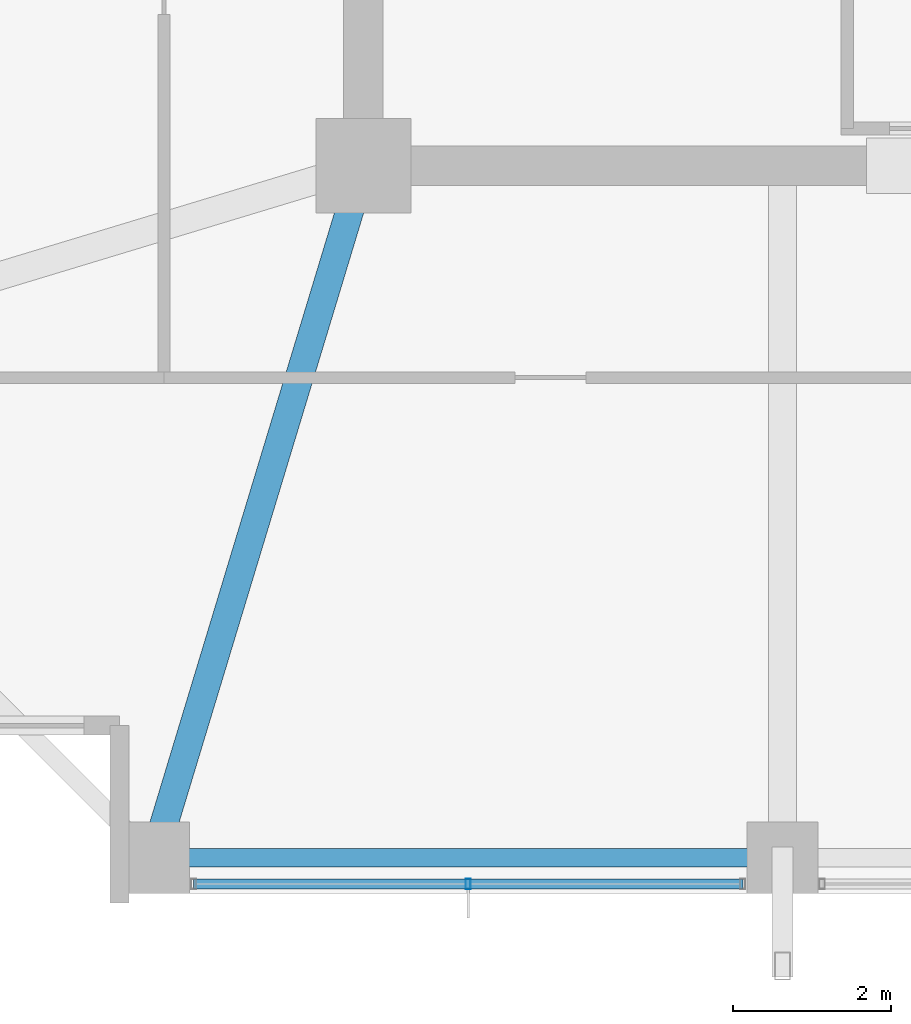
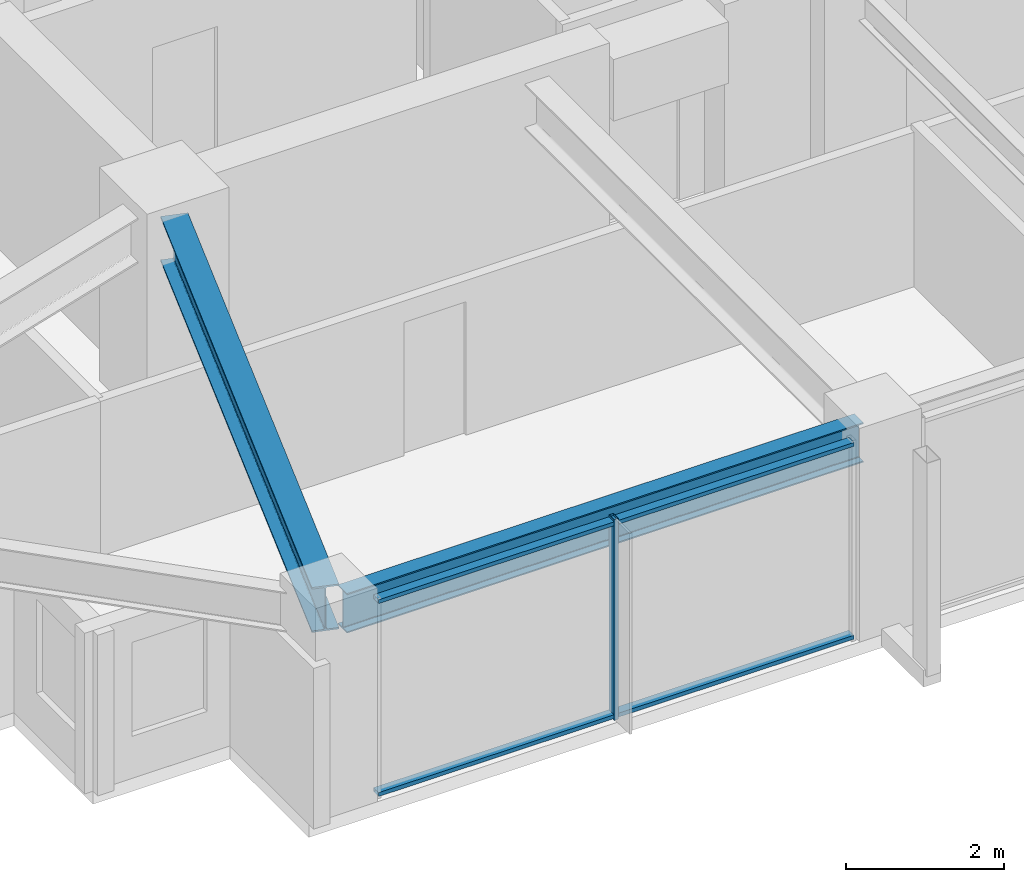
# One storey, part 3 of 35: 3 members, 2 beams, 1 element without a shape of its own.
"""IFC4 building model written with IfcOpenShell, lengths in metres."""

from ifc_helpers import new_model, si_unit, direction, frame, origin, origin_2d, place, context, subcontext, project, spatial, hollow_rectangle, i_section, extrude, material, material_profile, profile_set, type_object, element, aggregate, save


model = new_model("IFC4")

# Units and contexts
model_context = context("Model", 3, precision=1e-05, world=origin(), true_north=direction((0.0, 1.0)))
body_context = subcontext(model_context, "Body", "Model", "MODEL_VIEW")
ifc_project = project(units=[si_unit("LENGTHUNIT", "METRE"), si_unit("AREAUNIT", "SQUARE_METRE"), si_unit("VOLUMEUNIT", "CUBIC_METRE"), si_unit("PLANEANGLEUNIT", "RADIAN"), si_unit("MASSUNIT", "GRAM", prefix="KILO")], contexts=[model_context])

# Site, building, storey
site_placement = place(None, origin())
site = spatial("IfcSite", under=ifc_project, at=site_placement, CompositionType="ELEMENT")
building_placement = place(site_placement, origin())
building = spatial("IfcBuilding", under=site, at=building_placement, Name="Kolvaren Belvedere", CompositionType="ELEMENT")
storey_placement = place(building_placement, frame((0.0, 0.0, 163.5)))
storey = spatial("IfcBuildingStorey", under=building, at=storey_placement, Name="L47", CompositionType="ELEMENT", Elevation=163.5)

# Beams
ifc_material_1 = material(Name="Structural steel ASTM A992 Grade 50", Category="steel")
ifc_material_profile_1 = material_profile(ifc_material_1, i_section(OverallWidth=0.35498046875, OverallDepth=0.696044921875, WebThickness=0.015380859375, FlangeThickness=0.02490234375, FilletRadius=0.02197265625, at=origin_2d()), Name="W27X146")
ifc_profile_set_1 = profile_set([ifc_material_profile_1], Name="Structural steel ASTM A992 Grade 50")
beam_type_1 = type_object("IfcBeamType", Name="BM-GIRD-W27X146", PredefinedType="BEAM", material=ifc_profile_set_1)
beam_1_placement = place(storey_placement, frame((-10.059326171875, -10.426513671875, 2.751953125), z_axis=(-0.289865629086, -0.957067352423, 0.0), x_axis=(0.957067352423, -0.289865629086, 0.0)))
element("IfcBeam", 1, at=beam_1_placement, inside=storey, type_object=beam_type_1, Name="L47 Corner Core-to-Perimeter Girder CC1-S1", PredefinedType="BEAM", context=body_context, shape_type="SweptSolid", body=[
    extrude(i_section(OverallWidth=0.35498046875, OverallDepth=0.696044921875, WebThickness=0.015380859375, FlangeThickness=0.02490234375, FilletRadius=0.02197265625, at=origin_2d()), origin(), (0.0, 0.0, 1.0), 8.412353515625),
])
ifc_material_2 = material(Name="Structural steel ASTM A992 Grade 50", Category="steel")
ifc_material_profile_2 = material_profile(ifc_material_2, i_section(OverallWidth=0.22900390625, OverallDepth=0.612060546875, WebThickness=0.011962890625, FlangeThickness=0.01953125, FilletRadius=0.01806640625, at=origin_2d()), Name="W24X84")
ifc_profile_set_2 = profile_set([ifc_material_profile_2], Name="Structural steel ASTM A992 Grade 50")
beam_type_2 = type_object("IfcBeamType", Name="BM-SPAN-W24X84", PredefinedType="SPANDREL", material=ifc_profile_set_2)
beam_2_placement = place(storey_placement, frame((-12.347412109375, -18.64990234375, 2.7939453125), z_axis=(1.0, 0.0, 0.0), x_axis=(0.0, 1.0, 0.0)))
element("IfcBeam", 2, at=beam_2_placement, inside=storey, type_object=beam_type_2, Name="L47 Perimeter Spandrel S1-S2", PredefinedType="SPANDREL", context=body_context, shape_type="SweptSolid", body=[
    extrude(i_section(OverallWidth=0.22900390625, OverallDepth=0.612060546875, WebThickness=0.011962890625, FlangeThickness=0.01953125, FilletRadius=0.01806640625, at=origin_2d()), origin(), (0.0, 0.0, 1.0), 7.544921875),
])

# Curtain wall, members
ifc_material_3 = material(Name="Anodised pale-metal aluminium AA 6063-T6", Category="aluminium")
curtain_wall_type = type_object("IfcCurtainWallType", Name="CW-Z3-WAIST", PredefinedType="NOTDEFINED", material=ifc_material_3)
curtain_wall_placement = place(storey_placement, origin())
curtain_wall = element("IfcCurtainWall", 3, at=curtain_wall_placement, inside=storey, type_object=curtain_wall_type, Name="L47 Unitised Curtain Wall FCW-L47-S-B3", PredefinedType="NOTDEFINED")
ifc_material_4 = material(Name="Anodised pale-metal aluminium AA 6063-T6", Category="aluminium")
ifc_material_profile_3 = material_profile(ifc_material_4, hollow_rectangle(XDim=0.06494140625, YDim=0.1298828125, WallThickness=0.00390625, at=origin_2d()), Name="ALU-MUL-130X65")
ifc_profile_set_3 = profile_set([ifc_material_profile_3], Name="Anodised pale-metal aluminium AA 6063-T6")
member_type_1 = type_object("IfcMemberType", Name="CW-MUL-130", PredefinedType="MULLION", material=ifc_profile_set_3)
member_1_placement = place(storey_placement, frame((-8.574951171875, -18.97998046875, 0.0), z_axis=(0.0, 0.0, 1.0), x_axis=(1.0, 0.0, 0.0)))
member_1 = element("IfcMember", 4, at=member_1_placement, type_object=member_type_1, Name="FCW-L47-S-B3 Unitised Mullion 2", PredefinedType="MULLION", context=body_context, shape_type="SweptSolid", body=[
    extrude(hollow_rectangle(XDim=0.06494140625, YDim=0.1298828125, WallThickness=0.00390625, at=origin_2d()), origin(), (0.0, 0.0, 1.0), 3.10009765625),
])
ifc_material_5 = material(Name="Anodised pale-metal aluminium AA 6063-T6", Category="aluminium")
ifc_material_profile_4 = material_profile(ifc_material_5, hollow_rectangle(XDim=0.06005859375, YDim=0.1298828125, WallThickness=0.00390625, at=origin_2d()), Name="ALU-TRN-130X60")
ifc_profile_set_4 = profile_set([ifc_material_profile_4], Name="Anodised pale-metal aluminium AA 6063-T6")
member_type_2 = type_object("IfcMemberType", Name="CW-TRN-130", PredefinedType="USERDEFINED", material=ifc_profile_set_4)
member_2_placement = place(storey_placement, frame((-5.1025390625, -18.97998046875, 0.06005859375), z_axis=(-1.0, 0.0, 0.0), x_axis=(0.0, 0.0, 1.0)))
member_2 = element("IfcMember", 5, at=member_2_placement, type_object=member_type_2, Name="FCW-L47-S-B3 Sill Transom", ObjectType="TRANSOM", PredefinedType="USERDEFINED", context=body_context, shape_type="SweptSolid", body=[
    extrude(hollow_rectangle(XDim=0.06005859375, YDim=0.1298828125, WallThickness=0.00390625, at=origin_2d()), origin(), (0.0, 0.0, 1.0), 6.945068359375),
])
member_3_placement = place(storey_placement, frame((-5.1025390625, -18.97998046875, 3.0400390625), z_axis=(-1.0, 0.0, 0.0), x_axis=(0.0, 0.0, 1.0)))
member_3 = element("IfcMember", 6, at=member_3_placement, type_object=member_type_2, Name="FCW-L47-S-B3 Head Transom", ObjectType="TRANSOM", PredefinedType="USERDEFINED", context=body_context, shape_type="SweptSolid", body=[
    extrude(hollow_rectangle(XDim=0.06005859375, YDim=0.1298828125, WallThickness=0.00390625, at=origin_2d()), origin(), (0.0, 0.0, 1.0), 6.945068359375),
])
aggregate(curtain_wall, [member_1, member_2, member_3])

save(model, "model.ifc")
